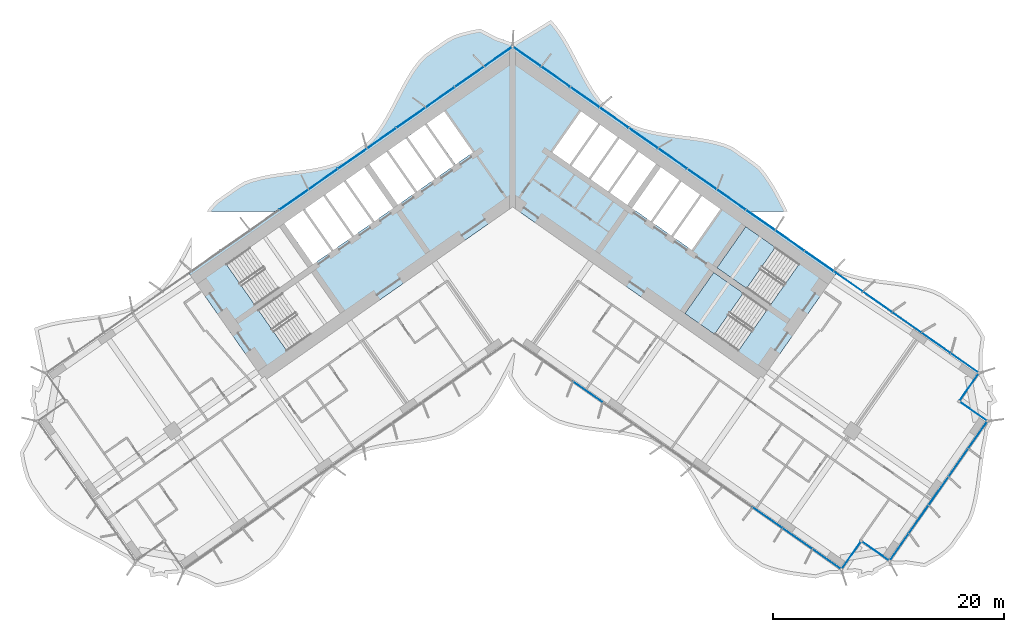
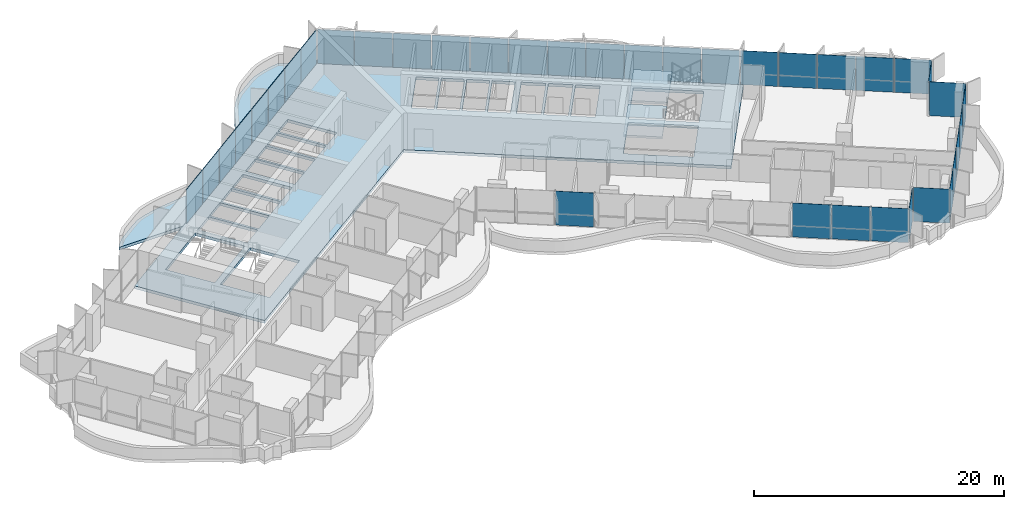
# One storey, part 11 of 22: 37 plates, 4 slabs, 4 elements without a shape of their own.
"""IFC4 building model written with IfcOpenShell, lengths in metres."""

import ifcopenshell
import ifcopenshell.guid

model = None  # the IFC model being written
_history = None  # IfcOwnerHistory: only IFC2X3 demands one
_inside = {}  # id of a spatial element -> (the spatial element, [elements in it])
_under = {}  # id of a project, library or spatial element -> (it, [spatial elements below it])
_declared = {}  # id of a project -> (the project, [libraries it declares])
_typed = {}  # id of a type object -> (the type object, [elements of that type])
_made_of = {}  # id of a material, layer set ... -> (it, [elements and type objects made of it])


def new_model(schema):
    """Start an empty IFC model of exactly this schema.

    Asked for "IFC4X3", IfcOpenShell would pick the latest addendum, in which some entities
    have other attributes; the version numbers below select the first issue.
    IFC2X3 requires an IfcOwnerHistory on every rooted entity: one is made here for all.
    """
    global model, _history
    if schema == "IFC4X3":
        model = ifcopenshell.file(schema_version=(4, 3, 0, 0))
    else:
        model = ifcopenshell.file(schema=schema)
    _inside.clear()
    _under.clear()
    _declared.clear()
    _typed.clear()
    _made_of.clear()
    _history = None
    if model.schema == "IFC2X3":
        org = make("IfcOrganization", Name="unknown")
        user = make(
            "IfcPersonAndOrganization",
            ThePerson=make("IfcPerson", FamilyName="unknown"),
            TheOrganization=org,
        )
        app = make(
            "IfcApplication",
            ApplicationDeveloper=org,
            Version="unknown",
            ApplicationFullName="unknown",
            ApplicationIdentifier="unknown",
        )
        _history = make(
            "IfcOwnerHistory",
            OwningUser=user,
            OwningApplication=app,
            ChangeAction="ADDED",
            CreationDate=0,
        )
    return model


def make(cls, **values):
    """One entity of the class cls with the attributes given. An attribute that is None is left unset."""
    return model.create_entity(
        cls, **{name: value for name, value in values.items() if value is not None}
    )


def rooted(cls, **values):
    """An entity with a GlobalId (a new one), such as an element, a storey or a relation."""
    return make(cls, GlobalId=ifcopenshell.guid.new(), OwnerHistory=_history, **values)


def si_unit(unit_type, name, prefix=None):
    """IfcSIUnit, for example si_unit("LENGTHUNIT", "METRE", prefix="MILLI")."""
    return make("IfcSIUnit", UnitType=unit_type, Prefix=prefix, Name=name)


def assignment(units):
    """IfcUnitAssignment: the units of a project."""
    return None if units is None else make("IfcUnitAssignment", Units=units)


def point(xyz):
    """IfcCartesianPoint."""
    return None if xyz is None else make("IfcCartesianPoint", Coordinates=xyz)


def direction(xyz):
    """IfcDirection."""
    return None if xyz is None else make("IfcDirection", DirectionRatios=xyz)


def frame(location, z_axis=None, x_axis=None):
    """IfcAxis2Placement3D, a coordinate frame: its origin and axes. An axis left out is left unset."""
    return make(
        "IfcAxis2Placement3D",
        Location=point(location),
        Axis=direction(z_axis),
        RefDirection=direction(x_axis),
    )


def frame_2d(location, x_axis=None):
    """IfcAxis2Placement2D, a coordinate frame in the plane: its origin and x axis."""
    return make(
        "IfcAxis2Placement2D", Location=point(location), RefDirection=direction(x_axis)
    )


def origin():
    """The frame at (0, 0, 0) with its axes left unset."""
    return frame((0.0, 0.0, 0.0))


def origin_2d():
    """The frame at (0, 0) in the plane with its x axis left unset."""
    return frame_2d((0.0, 0.0))


def place(relative_to, where):
    """IfcLocalPlacement: puts the frame where relative to a parent placement (None: the world)."""
    return make(
        "IfcLocalPlacement", PlacementRelTo=relative_to, RelativePlacement=where
    )


def context(
    kind, dimensions, precision=None, world=None, true_north=None, identifier=None
):
    """IfcGeometricRepresentationContext, for example the 3D "Model" context."""
    return make(
        "IfcGeometricRepresentationContext",
        ContextIdentifier=identifier,
        ContextType=kind,
        CoordinateSpaceDimension=dimensions,
        Precision=precision,
        WorldCoordinateSystem=world,
        TrueNorth=true_north,
    )


def subcontext(parent, identifier, kind, view, scale=None):
    """IfcGeometricRepresentationSubContext, for example "Body" below "Model"."""
    return make(
        "IfcGeometricRepresentationSubContext",
        ContextIdentifier=identifier,
        ContextType=kind,
        ParentContext=parent,
        TargetScale=scale,
        TargetView=view,
    )


def project(units=None, contexts=None):
    """IfcProject with its units and contexts."""
    return rooted(
        "IfcProject",
        Name="project",
        RepresentationContexts=contexts,
        UnitsInContext=assignment(units),
    )


def spatial(cls, under=None, at=None, **own):
    """A site, building, storey or space (cls), placed at a placement, below another one or the project."""
    s = rooted(cls, ObjectPlacement=at, **own)
    if under is not None:
        _under.setdefault(under.id(), (under, []))[1].append(s)
    return s


def polyline(points):
    """IfcPolyline through the points."""
    return make("IfcPolyline", Points=[point(p) for p in points])


def profile(cls, at=None, kind="AREA", **sizes):
    """A parametric profile (cls). Its sizes go by their IFC names, for example OverallWidth=200.0."""
    return make(cls, ProfileType=kind, Position=at, **sizes)


def rectangle(**sizes):
    """IfcRectangleProfileDef."""
    return profile("IfcRectangleProfileDef", **sizes)


def outline(outer, holes=None, kind="AREA"):
    """IfcArbitraryClosedProfileDef: a profile drawn as a closed curve; with holes, ...WithVoids."""
    if holes is None:
        return make("IfcArbitraryClosedProfileDef", ProfileType=kind, OuterCurve=outer)
    return make(
        "IfcArbitraryProfileDefWithVoids",
        ProfileType=kind,
        OuterCurve=outer,
        InnerCurves=holes,
    )


def extrude(swept, where, along, depth):
    """IfcExtrudedAreaSolid: the profile swept, set in the frame where, extruded along a direction by depth."""
    return make(
        "IfcExtrudedAreaSolid",
        SweptArea=swept,
        Position=where,
        ExtrudedDirection=direction(along),
        Depth=depth,
    )


def shape(context_of_items, identifier, shape_type, items):
    """IfcShapeRepresentation: the items that make up one representation, for example the "Body"."""
    return make(
        "IfcShapeRepresentation",
        ContextOfItems=context_of_items,
        RepresentationIdentifier=identifier,
        RepresentationType=shape_type,
        Items=items,
    )


def material(Name=None, Category=None):
    """IfcMaterial."""
    return make("IfcMaterial", Name=Name, Category=Category)


def layer(
    of_material, thickness, ventilated=None, Name=None, Category=None, Priority=None
):
    """IfcMaterialLayer: one layer of a wall or slab, of a material (None: an air gap)."""
    return make(
        "IfcMaterialLayer",
        Material=of_material,
        LayerThickness=thickness,
        IsVentilated=ventilated,
        Name=Name,
        Category=Category,
        Priority=Priority,
    )


def layer_set(layers, Name=None):
    """IfcMaterialLayerSet."""
    return make("IfcMaterialLayerSet", MaterialLayers=layers, LayerSetName=Name)


def made_of(thing, what):
    """Note that an element or type object is made of a material, layer set ...; save() writes the relation."""
    if what is not None:
        _made_of.setdefault(what.id(), (what, []))[1].append(thing)
    return thing


def type_object(cls, material=None, **own):
    """A type object (cls), such as IfcWallType, which elements share."""
    return made_of(rooted(cls, **own), material)


def element(
    cls,
    number,
    at=None,
    inside=None,
    cuts=None,
    type_object=None,
    material=None,
    context=None,
    identifier="Body",
    shape_type=None,
    held_by="IfcProductDefinitionShape",
    body=None,
    shapes=None,
    **own,
):
    """One element of the class cls, such as IfcWall. Its Tag is "e" and its number.

    at: its placement. inside: the storey or other place that contains it. cuts: it is an
    opening in that element (IfcRelVoidsElement). A single representation is given by context,
    identifier, shape_type and body (its items); several are given by shapes. held_by: the class
    of the entity that holds the representations. save() writes the other relations.
    """
    e = rooted(cls, Tag="e%d" % number, ObjectPlacement=at, **own)
    if body is not None:
        shapes = [shape(context, identifier, shape_type, body)]
    if shapes is not None:
        e.Representation = make(held_by, Representations=shapes)
    if inside is not None:
        _inside.setdefault(inside.id(), (inside, []))[1].append(e)
    if cuts is not None:
        rooted(
            "IfcRelVoidsElement", RelatingBuildingElement=cuts, RelatedOpeningElement=e
        )
    if type_object is not None:
        _typed.setdefault(type_object.id(), (type_object, []))[1].append(e)
    return made_of(e, material)


def aggregate(whole, parts):
    """IfcRelAggregates: a whole, such as a stair, and the parts it consists of."""
    return rooted("IfcRelAggregates", RelatingObject=whole, RelatedObjects=parts)


def save(model, path):
    """Write the relations noted so far, then the file.

    IfcRelAggregates (storeys below a building ...), IfcRelContainedInSpatialStructure (elements
    in a storey), IfcRelDefinesByType, IfcRelAssociatesMaterial and IfcRelDeclares: one each for
    every whole, place, type object, material and project.
    """
    for whole, parts in _under.values():
        aggregate(whole, parts)
    for where, things in _inside.values():
        rooted(
            "IfcRelContainedInSpatialStructure",
            RelatedElements=things,
            RelatingStructure=where,
        )
    for kind, things in _typed.values():
        rooted("IfcRelDefinesByType", RelatedObjects=things, RelatingType=kind)
    for what, things in _made_of.values():
        rooted("IfcRelAssociatesMaterial", RelatedObjects=things, RelatingMaterial=what)
    for by, libraries in _declared.values():
        rooted("IfcRelDeclares", RelatingContext=by, RelatedDefinitions=libraries)
    model.write(path)


model = new_model("IFC4")

# Units and contexts
model_context = context("Model", 3, precision=1e-05, world=origin(), true_north=direction((0.0, 1.0)))
body_context = subcontext(model_context, "Body", "Model", "MODEL_VIEW")
ifc_project = project(units=[si_unit("LENGTHUNIT", "METRE"), si_unit("AREAUNIT", "SQUARE_METRE"), si_unit("VOLUMEUNIT", "CUBIC_METRE"), si_unit("PLANEANGLEUNIT", "RADIAN"), si_unit("MASSUNIT", "GRAM", prefix="KILO")], contexts=[model_context])

# Site, building, storey
site_placement = place(None, origin())
site = spatial("IfcSite", under=ifc_project, at=site_placement, CompositionType="ELEMENT")
building_placement = place(site_placement, origin())
building = spatial("IfcBuilding", under=site, at=building_placement, Name="Tel Ilan Convention Tower", CompositionType="ELEMENT")
storey_placement = place(building_placement, frame((0.0, 0.0, 122.89990234375)))
storey = spatial("IfcBuildingStorey", under=building, at=storey_placement, Name="L27", CompositionType="ELEMENT", Elevation=122.89990234375)

# Curtain wall, plates
ifc_material_1 = material(Name="Aluminium, bronze anodised", Category="aluminium")
curtain_wall_type_1 = type_object("IfcCurtainWallType", Name="CW1 UNITISED CURTAIN WALL, HOTEL TINTED GLASS", PredefinedType="NOTDEFINED", material=ifc_material_1)
curtain_wall_1_placement = place(storey_placement, origin())
curtain_wall_1 = element("IfcCurtainWall", 1, at=curtain_wall_1_placement, inside=storey, type_object=curtain_wall_type_1, Name="Curtain wall CW1-21.02", PredefinedType="NOTDEFINED")
ifc_material_2 = material(Name="Glass, bronze tinted, two-ply unitised", Category="glass")
ifc_layer_1 = layer(ifc_material_2, 0.028076171875)
ifc_layer_set_1 = layer_set([ifc_layer_1], Name="CW HOTEL GLASS PANEL 28")
plate_type_1 = type_object("IfcPlateType", Name="CW HOTEL GLASS PANEL 28", PredefinedType="CURTAIN_PANEL", material=ifc_layer_set_1)
plate_1_placement = place(storey_placement, frame((6.544921875, -17.27880859375, 0.0), z_axis=(0.0, 0.0, 1.0), x_axis=(0.819152044289, -0.573576436351, 0.0)))
plate_1 = element("IfcPlate", 2, at=plate_1_placement, type_object=plate_type_1, Name="Glass panel", PredefinedType="CURTAIN_PANEL", context=body_context, shape_type="SweptSolid", body=[
    extrude(rectangle(XDim=3.10791015625, YDim=0.028076171875, at=origin_2d()), origin(), (0.0, 0.0, 1.0), 3.320068359375),
])
plate_2_placement = place(storey_placement, frame((22.115478515625, -28.181396484375, 0.0), z_axis=(0.0, 0.0, 1.0), x_axis=(0.819152044289, -0.573576436351, 0.0)))
plate_2 = element("IfcPlate", 3, at=plate_2_placement, type_object=plate_type_1, Name="Glass panel", PredefinedType="CURTAIN_PANEL", context=body_context, shape_type="SweptSolid", body=[
    extrude(rectangle(XDim=3.10791015625, YDim=0.028076171875, at=origin_2d()), origin(), (0.0, 0.0, 1.0), 3.320068359375),
])
plate_3_placement = place(storey_placement, frame((24.71044921875, -29.99853515625, 0.0), z_axis=(0.0, 0.0, 1.0), x_axis=(0.819152044289, -0.573576436351, 0.0)))
plate_3 = element("IfcPlate", 4, at=plate_3_placement, type_object=plate_type_1, Name="Glass panel", PredefinedType="CURTAIN_PANEL", context=body_context, shape_type="SweptSolid", body=[
    extrude(rectangle(XDim=3.10791015625, YDim=0.028076171875, at=origin_2d()), origin(), (0.0, 0.0, 1.0), 3.320068359375),
])
plate_4_placement = place(storey_placement, frame((27.26708984375, -31.78857421875, 0.0), z_axis=(0.0, 0.0, 1.0), x_axis=(0.819152044289, -0.573576436351, 0.0)))
plate_4 = element("IfcPlate", 5, at=plate_4_placement, type_object=plate_type_1, Name="Glass panel", PredefinedType="CURTAIN_PANEL", context=body_context, shape_type="SweptSolid", body=[
    extrude(rectangle(XDim=3.013916015625, YDim=0.028076171875, at=origin_2d()), origin(), (0.0, 0.0, 1.0), 3.320068359375),
])
plate_5_placement = place(storey_placement, frame((29.359375, -31.469482421875, 0.0), z_axis=(0.0, 0.0, 1.0), x_axis=(0.573576436351, 0.819152044289, 0.0)))
plate_5 = element("IfcPlate", 6, at=plate_5_placement, type_object=plate_type_1, Name="Glass panel", PredefinedType="CURTAIN_PANEL", context=body_context, shape_type="SweptSolid", body=[
    extrude(rectangle(XDim=2.875, YDim=0.028076171875, at=origin_2d()), origin(), (0.0, 0.0, 1.0), 3.320068359375),
])
plate_6_placement = place(storey_placement, frame((31.502197265625, -31.091796875, 0.0), z_axis=(0.0, 0.0, 1.0), x_axis=(0.819152044289, -0.573576436351, 0.0)))
plate_6 = element("IfcPlate", 7, at=plate_6_placement, type_object=plate_type_1, Name="Glass panel", PredefinedType="CURTAIN_PANEL", context=body_context, shape_type="SweptSolid", body=[
    extrude(rectangle(XDim=2.875, YDim=0.028076171875, at=origin_2d()), origin(), (0.0, 0.0, 1.0), 3.320068359375),
])
plate_7_placement = place(storey_placement, frame((33.529296875, -30.74462890625, 0.0), z_axis=(0.0, 0.0, 1.0), x_axis=(0.573576436351, 0.819152044289, 0.0)))
plate_7 = element("IfcPlate", 8, at=plate_7_placement, type_object=plate_type_1, Name="Glass panel", PredefinedType="CURTAIN_PANEL", context=body_context, shape_type="SweptSolid", body=[
    extrude(rectangle(XDim=2.845947265625, YDim=0.028076171875, at=origin_2d()), origin(), (0.0, 0.0, 1.0), 3.320068359375),
])
plate_8_placement = place(storey_placement, frame((35.22314453125, -28.32568359375, 0.0), z_axis=(0.0, 0.0, 1.0), x_axis=(0.573576436351, 0.819152044289, 0.0)))
plate_8 = element("IfcPlate", 9, at=plate_8_placement, type_object=plate_type_1, Name="Glass panel", PredefinedType="CURTAIN_PANEL", context=body_context, shape_type="SweptSolid", body=[
    extrude(rectangle(XDim=2.93994140625, YDim=0.028076171875, at=origin_2d()), origin(), (0.0, 0.0, 1.0), 3.320068359375),
])
plate_9_placement = place(storey_placement, frame((36.94384765625, -25.868408203125, 0.0), z_axis=(0.0, 0.0, 1.0), x_axis=(0.573576436351, 0.819152044289, 0.0)))
plate_9 = element("IfcPlate", 10, at=plate_9_placement, type_object=plate_type_1, Name="Glass panel", PredefinedType="CURTAIN_PANEL", context=body_context, shape_type="SweptSolid", body=[
    extrude(rectangle(XDim=2.93994140625, YDim=0.028076171875, at=origin_2d()), origin(), (0.0, 0.0, 1.0), 3.320068359375),
])
plate_10_placement = place(storey_placement, frame((38.66455078125, -23.410888671875, 0.0), z_axis=(0.0, 0.0, 1.0), x_axis=(0.573576436351, 0.819152044289, 0.0)))
plate_10 = element("IfcPlate", 11, at=plate_10_placement, type_object=plate_type_1, Name="Glass panel", PredefinedType="CURTAIN_PANEL", context=body_context, shape_type="SweptSolid", body=[
    extrude(rectangle(XDim=2.93994140625, YDim=0.028076171875, at=origin_2d()), origin(), (0.0, 0.0, 1.0), 3.320068359375),
])
plate_11_placement = place(storey_placement, frame((40.358154296875, -20.991943359375, 0.0), z_axis=(0.0, 0.0, 1.0), x_axis=(0.573576436351, 0.819152044289, 0.0)))
plate_11 = element("IfcPlate", 12, at=plate_11_placement, type_object=plate_type_1, Name="Glass panel", PredefinedType="CURTAIN_PANEL", context=body_context, shape_type="SweptSolid", body=[
    extrude(rectangle(XDim=2.845947265625, YDim=0.028076171875, at=origin_2d()), origin(), (0.0, 0.0, 1.0), 3.320068359375),
])
plate_12_placement = place(storey_placement, frame((39.990966796875, -18.96826171875, 0.0), z_axis=(0.0, 0.0, 1.0), x_axis=(-0.819152044289, 0.573576436351, 0.0)))
plate_12 = element("IfcPlate", 13, at=plate_12_placement, type_object=plate_type_1, Name="Glass panel", PredefinedType="CURTAIN_PANEL", context=body_context, shape_type="SweptSolid", body=[
    extrude(rectangle(XDim=2.875, YDim=0.028076171875, at=origin_2d()), origin(), (0.0, 0.0, 1.0), 3.320068359375),
])
plate_13_placement = place(storey_placement, frame((39.61328125, -16.82568359375, 0.0), z_axis=(0.0, 0.0, 1.0), x_axis=(0.573576436351, 0.819152044289, 0.0)))
plate_13 = element("IfcPlate", 14, at=plate_13_placement, type_object=plate_type_1, Name="Glass panel", PredefinedType="CURTAIN_PANEL", context=body_context, shape_type="SweptSolid", body=[
    extrude(rectangle(XDim=2.875, YDim=0.028076171875, at=origin_2d()), origin(), (0.0, 0.0, 1.0), 3.320068359375),
])
plate_14_placement = place(storey_placement, frame((39.2265625, -14.7705078125, 0.0), z_axis=(0.0, 0.0, 1.0), x_axis=(-0.819152044289, 0.573576436351, 0.0)))
plate_14 = element("IfcPlate", 15, at=plate_14_placement, type_object=plate_type_1, Name="Glass panel", PredefinedType="CURTAIN_PANEL", context=body_context, shape_type="SweptSolid", body=[
    extrude(rectangle(XDim=2.943115234375, YDim=0.028076171875, at=origin_2d()), origin(), (0.0, 0.0, 1.0), 3.320068359375),
])
plate_15_placement = place(storey_placement, frame((36.72802734375, -13.021240234375, 0.0), z_axis=(0.0, 0.0, 1.0), x_axis=(-0.819152044289, 0.573576436351, 0.0)))
plate_15 = element("IfcPlate", 16, at=plate_15_placement, type_object=plate_type_1, Name="Glass panel", PredefinedType="CURTAIN_PANEL", context=body_context, shape_type="SweptSolid", body=[
    extrude(rectangle(XDim=3.037109375, YDim=0.028076171875, at=origin_2d()), origin(), (0.0, 0.0, 1.0), 3.320068359375),
])
plate_16_placement = place(storey_placement, frame((34.191162109375, -11.244873046875, 0.0), z_axis=(0.0, 0.0, 1.0), x_axis=(-0.819152044289, 0.573576436351, 0.0)))
plate_16 = element("IfcPlate", 17, at=plate_16_placement, type_object=plate_type_1, Name="Glass panel", PredefinedType="CURTAIN_PANEL", context=body_context, shape_type="SweptSolid", body=[
    extrude(rectangle(XDim=3.037109375, YDim=0.028076171875, at=origin_2d()), origin(), (0.0, 0.0, 1.0), 3.320068359375),
])
plate_17_placement = place(storey_placement, frame((31.654296875, -9.468505859375, 0.0), z_axis=(0.0, 0.0, 1.0), x_axis=(-0.819152044289, 0.573576436351, 0.0)))
plate_17 = element("IfcPlate", 18, at=plate_17_placement, type_object=plate_type_1, Name="Glass panel", PredefinedType="CURTAIN_PANEL", context=body_context, shape_type="SweptSolid", body=[
    extrude(rectangle(XDim=3.037109375, YDim=0.028076171875, at=origin_2d()), origin(), (0.0, 0.0, 1.0), 3.320068359375),
])
plate_18_placement = place(storey_placement, frame((29.1171875, -7.692138671875, 0.0), z_axis=(0.0, 0.0, 1.0), x_axis=(-0.819152044289, 0.573576436351, 0.0)))
plate_18 = element("IfcPlate", 19, at=plate_18_placement, type_object=plate_type_1, Name="Glass panel", PredefinedType="CURTAIN_PANEL", context=body_context, shape_type="SweptSolid", body=[
    extrude(rectangle(XDim=3.037109375, YDim=0.028076171875, at=origin_2d()), origin(), (0.0, 0.0, 1.0), 3.320068359375),
])
aggregate(curtain_wall_1, [plate_1, plate_2, plate_3, plate_4, plate_5, plate_6, plate_7, plate_8, plate_9, plate_10, plate_11, plate_12, plate_13, plate_14, plate_15, plate_16, plate_17, plate_18])

ifc_material_3 = material(Name="Aluminium, bronze anodised", Category="aluminium")
curtain_wall_type_2 = type_object("IfcCurtainWallType", Name="CW2 STICK CURTAIN WALL, SPANDREL PANELS", PredefinedType="NOTDEFINED", material=ifc_material_3)
curtain_wall_2_placement = place(storey_placement, origin())
curtain_wall_2 = element("IfcCurtainWall", 20, at=curtain_wall_2_placement, inside=storey, type_object=curtain_wall_type_2, Name="Curtain wall CW2-21.01", PredefinedType="NOTDEFINED")
ifc_material_4 = material(Name="Aluminium composite panel, bronze anodised", Category="aluminium")
ifc_layer_2 = layer(ifc_material_4, 0.06005859375)
ifc_layer_set_2 = layer_set([ifc_layer_2], Name="CW SPANDREL PANEL 60")
plate_type_2 = type_object("IfcPlateType", Name="CW SPANDREL PANEL 60", PredefinedType="CURTAIN_PANEL", material=ifc_layer_set_2)
plate_19_placement = place(storey_placement, frame((26.580322265625, -5.915771484375, 0.0), z_axis=(0.0, 0.0, 1.0), x_axis=(-0.819152044289, 0.573576436351, 0.0)))
plate_19 = element("IfcPlate", 21, at=plate_19_placement, type_object=plate_type_2, Name="Spandrel panel", PredefinedType="CURTAIN_PANEL", context=body_context, shape_type="SweptSolid", body=[
    extrude(rectangle(XDim=3.037109375, YDim=0.06005859375, at=origin_2d()), origin(), (0.0, 0.0, 1.0), 3.320068359375),
])
plate_20_placement = place(storey_placement, frame((24.04345703125, -4.139404296875, 0.0), z_axis=(0.0, 0.0, 1.0), x_axis=(-0.819152044289, 0.573576436351, 0.0)))
plate_20 = element("IfcPlate", 22, at=plate_20_placement, type_object=plate_type_2, Name="Spandrel panel", PredefinedType="CURTAIN_PANEL", context=body_context, shape_type="SweptSolid", body=[
    extrude(rectangle(XDim=3.037109375, YDim=0.06005859375, at=origin_2d()), origin(), (0.0, 0.0, 1.0), 3.320068359375),
])
plate_21_placement = place(storey_placement, frame((21.506591796875, -2.363037109375, 0.0), z_axis=(0.0, 0.0, 1.0), x_axis=(-0.819152044289, 0.573576436351, 0.0)))
plate_21 = element("IfcPlate", 23, at=plate_21_placement, type_object=plate_type_2, Name="Spandrel panel", PredefinedType="CURTAIN_PANEL", context=body_context, shape_type="SweptSolid", body=[
    extrude(rectangle(XDim=3.037109375, YDim=0.06005859375, at=origin_2d()), origin(), (0.0, 0.0, 1.0), 3.320068359375),
])
plate_22_placement = place(storey_placement, frame((18.969482421875, -0.586669921875, 0.0), z_axis=(0.0, 0.0, 1.0), x_axis=(-0.819152044289, 0.573576436351, 0.0)))
plate_22 = element("IfcPlate", 24, at=plate_22_placement, type_object=plate_type_2, Name="Spandrel panel", PredefinedType="CURTAIN_PANEL", context=body_context, shape_type="SweptSolid", body=[
    extrude(rectangle(XDim=3.037109375, YDim=0.06005859375, at=origin_2d()), origin(), (0.0, 0.0, 1.0), 3.320068359375),
])
plate_23_placement = place(storey_placement, frame((16.4326171875, 1.189697265625, 0.0), z_axis=(0.0, 0.0, 1.0), x_axis=(-0.819152044289, 0.573576436351, 0.0)))
plate_23 = element("IfcPlate", 25, at=plate_23_placement, type_object=plate_type_2, Name="Spandrel panel", PredefinedType="CURTAIN_PANEL", context=body_context, shape_type="SweptSolid", body=[
    extrude(rectangle(XDim=3.037109375, YDim=0.06005859375, at=origin_2d()), origin(), (0.0, 0.0, 1.0), 3.320068359375),
])
plate_24_placement = place(storey_placement, frame((13.895751953125, 2.966064453125, 0.0), z_axis=(0.0, 0.0, 1.0), x_axis=(-0.819152044289, 0.573576436351, 0.0)))
plate_24 = element("IfcPlate", 26, at=plate_24_placement, type_object=plate_type_2, Name="Spandrel panel", PredefinedType="CURTAIN_PANEL", context=body_context, shape_type="SweptSolid", body=[
    extrude(rectangle(XDim=3.037109375, YDim=0.06005859375, at=origin_2d()), origin(), (0.0, 0.0, 1.0), 3.320068359375),
])
plate_25_placement = place(storey_placement, frame((11.35888671875, 4.742431640625, 0.0), z_axis=(0.0, 0.0, 1.0), x_axis=(-0.819152044289, 0.573576436351, 0.0)))
plate_25 = element("IfcPlate", 27, at=plate_25_placement, type_object=plate_type_2, Name="Spandrel panel", PredefinedType="CURTAIN_PANEL", context=body_context, shape_type="SweptSolid", body=[
    extrude(rectangle(XDim=3.037109375, YDim=0.06005859375, at=origin_2d()), origin(), (0.0, 0.0, 1.0), 3.320068359375),
])
plate_26_placement = place(storey_placement, frame((8.82177734375, 6.518798828125, 0.0), z_axis=(0.0, 0.0, 1.0), x_axis=(-0.819152044289, 0.573576436351, 0.0)))
plate_26 = element("IfcPlate", 28, at=plate_26_placement, type_object=plate_type_2, Name="Spandrel panel", PredefinedType="CURTAIN_PANEL", context=body_context, shape_type="SweptSolid", body=[
    extrude(rectangle(XDim=3.037109375, YDim=0.06005859375, at=origin_2d()), origin(), (0.0, 0.0, 1.0), 3.320068359375),
])
plate_27_placement = place(storey_placement, frame((6.284912109375, 8.295166015625, 0.0), z_axis=(0.0, 0.0, 1.0), x_axis=(-0.819152044289, 0.573576436351, 0.0)))
plate_27 = element("IfcPlate", 29, at=plate_27_placement, type_object=plate_type_2, Name="Spandrel panel", PredefinedType="CURTAIN_PANEL", context=body_context, shape_type="SweptSolid", body=[
    extrude(rectangle(XDim=3.037109375, YDim=0.06005859375, at=origin_2d()), origin(), (0.0, 0.0, 1.0), 3.320068359375),
])
plate_28_placement = place(storey_placement, frame((3.748046875, 10.07177734375, 0.0), z_axis=(0.0, 0.0, 1.0), x_axis=(-0.819152044289, 0.573576436351, 0.0)))
plate_28 = element("IfcPlate", 30, at=plate_28_placement, type_object=plate_type_2, Name="Spandrel panel", PredefinedType="CURTAIN_PANEL", context=body_context, shape_type="SweptSolid", body=[
    extrude(rectangle(XDim=3.037109375, YDim=0.06005859375, at=origin_2d()), origin(), (0.0, 0.0, 1.0), 3.320068359375),
])
plate_29_placement = place(storey_placement, frame((1.256103515625, 11.81640625, 0.0), z_axis=(0.0, 0.0, 1.0), x_axis=(-0.819152044289, 0.573576436351, 0.0)))
plate_29 = element("IfcPlate", 31, at=plate_29_placement, type_object=plate_type_2, Name="Spandrel panel", PredefinedType="CURTAIN_PANEL", context=body_context, shape_type="SweptSolid", body=[
    extrude(rectangle(XDim=2.927001953125, YDim=0.06005859375, at=origin_2d()), origin(), (0.0, 0.0, 1.0), 3.320068359375),
])
plate_30_placement = place(storey_placement, frame((-1.256103515625, 11.81640625, 0.0), z_axis=(0.0, 0.0, 1.0), x_axis=(-0.819152044289, -0.573576436351, 0.0)))
plate_30 = element("IfcPlate", 32, at=plate_30_placement, type_object=plate_type_2, Name="Spandrel panel", PredefinedType="CURTAIN_PANEL", context=body_context, shape_type="SweptSolid", body=[
    extrude(rectangle(XDim=2.927001953125, YDim=0.06005859375, at=origin_2d()), origin(), (0.0, 0.0, 1.0), 3.320068359375),
])
plate_31_placement = place(storey_placement, frame((-3.748046875, 10.07177734375, 0.0), z_axis=(0.0, 0.0, 1.0), x_axis=(-0.819152044289, -0.573576436351, 0.0)))
plate_31 = element("IfcPlate", 33, at=plate_31_placement, type_object=plate_type_2, Name="Spandrel panel", PredefinedType="CURTAIN_PANEL", context=body_context, shape_type="SweptSolid", body=[
    extrude(rectangle(XDim=3.037109375, YDim=0.06005859375, at=origin_2d()), origin(), (0.0, 0.0, 1.0), 3.320068359375),
])
plate_32_placement = place(storey_placement, frame((-6.284912109375, 8.295166015625, 0.0), z_axis=(0.0, 0.0, 1.0), x_axis=(-0.819152044289, -0.573576436351, 0.0)))
plate_32 = element("IfcPlate", 34, at=plate_32_placement, type_object=plate_type_2, Name="Spandrel panel", PredefinedType="CURTAIN_PANEL", context=body_context, shape_type="SweptSolid", body=[
    extrude(rectangle(XDim=3.037109375, YDim=0.06005859375, at=origin_2d()), origin(), (0.0, 0.0, 1.0), 3.320068359375),
])
plate_33_placement = place(storey_placement, frame((-8.82177734375, 6.518798828125, 0.0), z_axis=(0.0, 0.0, 1.0), x_axis=(-0.819152044289, -0.573576436351, 0.0)))
plate_33 = element("IfcPlate", 35, at=plate_33_placement, type_object=plate_type_2, Name="Spandrel panel", PredefinedType="CURTAIN_PANEL", context=body_context, shape_type="SweptSolid", body=[
    extrude(rectangle(XDim=3.037109375, YDim=0.06005859375, at=origin_2d()), origin(), (0.0, 0.0, 1.0), 3.320068359375),
])
plate_34_placement = place(storey_placement, frame((-11.35888671875, 4.742431640625, 0.0), z_axis=(0.0, 0.0, 1.0), x_axis=(-0.819152044289, -0.573576436351, 0.0)))
plate_34 = element("IfcPlate", 36, at=plate_34_placement, type_object=plate_type_2, Name="Spandrel panel", PredefinedType="CURTAIN_PANEL", context=body_context, shape_type="SweptSolid", body=[
    extrude(rectangle(XDim=3.037109375, YDim=0.06005859375, at=origin_2d()), origin(), (0.0, 0.0, 1.0), 3.320068359375),
])
plate_35_placement = place(storey_placement, frame((-13.895751953125, 2.966064453125, 0.0), z_axis=(0.0, 0.0, 1.0), x_axis=(-0.819152044289, -0.573576436351, 0.0)))
plate_35 = element("IfcPlate", 37, at=plate_35_placement, type_object=plate_type_2, Name="Spandrel panel", PredefinedType="CURTAIN_PANEL", context=body_context, shape_type="SweptSolid", body=[
    extrude(rectangle(XDim=3.037109375, YDim=0.06005859375, at=origin_2d()), origin(), (0.0, 0.0, 1.0), 3.320068359375),
])
plate_36_placement = place(storey_placement, frame((-16.4326171875, 1.189697265625, 0.0), z_axis=(0.0, 0.0, 1.0), x_axis=(-0.819152044289, -0.573576436351, 0.0)))
plate_36 = element("IfcPlate", 38, at=plate_36_placement, type_object=plate_type_2, Name="Spandrel panel", PredefinedType="CURTAIN_PANEL", context=body_context, shape_type="SweptSolid", body=[
    extrude(rectangle(XDim=3.037109375, YDim=0.06005859375, at=origin_2d()), origin(), (0.0, 0.0, 1.0), 3.320068359375),
])
plate_37_placement = place(storey_placement, frame((-18.969482421875, -0.586669921875, 0.0), z_axis=(0.0, 0.0, 1.0), x_axis=(-0.819152044289, -0.573576436351, 0.0)))
plate_37 = element("IfcPlate", 39, at=plate_37_placement, type_object=plate_type_2, Name="Spandrel panel", PredefinedType="CURTAIN_PANEL", context=body_context, shape_type="SweptSolid", body=[
    extrude(rectangle(XDim=3.037109375, YDim=0.06005859375, at=origin_2d()), origin(), (0.0, 0.0, 1.0), 3.320068359375),
])
aggregate(curtain_wall_2, [plate_19, plate_20, plate_21, plate_22, plate_23, plate_24, plate_25, plate_26, plate_27, plate_28, plate_29, plate_30, plate_31, plate_32, plate_33, plate_34, plate_35, plate_36, plate_37])

# Stair, slab
ifc_material_5 = material(Name="Concrete C40/50", Category="concrete")
stair_type = type_object("IfcStairType", Name="Pressurised Exit Stair 20 risers 180 mm", PredefinedType="HALF_TURN_STAIR", material=ifc_material_5)
stair_1_placement = place(storey_placement, origin())
stair_1 = element("IfcStair", 40, at=stair_1_placement, inside=storey, type_object=stair_type, Name="L27 Pressurised Stair S3", PredefinedType="HALF_TURN_STAIR")
ifc_material_6 = material(Name="Concrete C40/50", Category="concrete")
ifc_layer_3 = layer(ifc_material_6, 0.199951171875)
ifc_layer_set_3 = layer_set([ifc_layer_3], Name="Concrete Stair Landing 200 mm C40/50")
slab_type_1 = type_object("IfcSlabType", Name="Concrete Stair Landing 200 mm", PredefinedType="LANDING", material=ifc_layer_set_3)
slab_1_placement = place(storey_placement, frame((0.0, 0.0, 1.60009765625)))
slab_1 = element("IfcSlab", 41, at=slab_1_placement, type_object=slab_type_1, Name="S3 landing 1", PredefinedType="LANDING", context=body_context, shape_type="SweptSolid", body=[
    extrude(outline(polyline([(22.791015625, -4.727294921875), (20.226318359375, -2.931640625), (17.7314453125, -6.494873046875), (20.2958984375, -8.29052734375), (22.791015625, -4.727294921875)])), origin(), (0.0, 0.0, 1.0), 0.199951171875),
])
aggregate(stair_1, [slab_1])

stair_2_placement = place(storey_placement, origin())
stair_2 = element("IfcStair", 42, at=stair_2_placement, inside=storey, type_object=stair_type, Name="L27 Pressurised Stair S4", PredefinedType="HALF_TURN_STAIR")
slab_2_placement = place(storey_placement, frame((0.0, 0.0, 1.60009765625)))
slab_2 = element("IfcSlab", 43, at=slab_2_placement, type_object=slab_type_1, Name="S4 landing 1", PredefinedType="LANDING", context=body_context, shape_type="SweptSolid", body=[
    extrude(outline(polyline([(20.00927734375, -8.7001953125), (17.444580078125, -6.904541015625), (14.949462890625, -10.4677734375), (17.51416015625, -12.263427734375), (20.00927734375, -8.7001953125)])), origin(), (0.0, 0.0, 1.0), 0.199951171875),
])
aggregate(stair_2, [slab_2])

# Slabs
ifc_material_7 = material(Name="Concrete C40/50", Category="concrete")
ifc_layer_4 = layer(ifc_material_7, 0.280029296875)
ifc_layer_set_4 = layer_set([ifc_layer_4], Name="Core Floor Slab 280 mm C40/50")
slab_type_2 = type_object("IfcSlabType", Name="Core Floor Slab 280 mm C40/50", PredefinedType="FLOOR", material=ifc_layer_set_4)
slab_3_placement = place(storey_placement, frame((0.0, 0.0, -0.27978515625)))
element("IfcSlab", 44, at=slab_3_placement, inside=storey, type_object=slab_type_2, Name="L27 core floor 1", PredefinedType="FLOOR", context=body_context, shape_type="SweptSolid", body=[
    extrude(outline(polyline([(-28.1396484375, -6.885498046875), (0.0, 12.818115234375), (28.1396484375, -6.885498046875), (21.54345703125, -16.3056640625), (0.0, -1.220703125), (-21.54345703125, -16.3056640625), (-28.1396484375, -6.885498046875)]), holes=[polyline([(-14.949462890625, -10.4677734375), (-17.444580078125, -6.904541015625), (-22.072021484375, -10.144775390625), (-19.5771484375, -13.7080078125), (-14.949462890625, -10.4677734375)]), polyline([(-17.7314453125, -6.494873046875), (-20.226318359375, -2.931640625), (-24.85400390625, -6.171875), (-22.35888671875, -9.735107421875), (-17.7314453125, -6.494873046875)]), polyline([(-18.198974609375, -1.511962890625), (-19.81689453125, -2.644775390625), (-17.32177734375, -6.2080078125), (-15.7041015625, -5.0751953125), (-18.198974609375, -1.511962890625)]), polyline([(-16.41748046875, -0.264404296875), (-18.03515625, -1.397216796875), (-15.5400390625, -4.960693359375), (-13.92236328125, -3.827880859375), (-16.41748046875, -0.264404296875)]), polyline([(-14.6357421875, 0.983154296875), (-16.25341796875, -0.149658203125), (-13.758544921875, -3.712890625), (-12.140625, -2.580078125), (-14.6357421875, 0.983154296875)]), polyline([(-12.85400390625, 2.230712890625), (-14.471923828125, 1.097900390625), (-11.976806640625, -2.465576171875), (-10.35888671875, -1.332763671875), (-12.85400390625, 2.230712890625)]), polyline([(-10.939208984375, 3.5712890625), (-12.444580078125, 2.517333984375), (-9.949462890625, -1.0458984375), (-8.444091796875, 0.008056640625), (-10.939208984375, 3.5712890625)]), polyline([(-6.775146484375, 1.1767578125), (-9.270263671875, 4.739990234375), (-10.775390625, 3.68603515625), (-8.280517578125, 0.122802734375), (-6.775146484375, 1.1767578125)]), polyline([(-5.106201171875, 2.345458984375), (-7.601318359375, 5.90869140625), (-9.1064453125, 4.854736328125), (-6.611328125, 1.29150390625), (-5.106201171875, 2.345458984375)]), polyline([(-5.93212890625, 7.077392578125), (-7.4375, 6.0234375), (-4.9423828125, 2.460205078125), (-3.437255859375, 3.513916015625), (-5.93212890625, 7.077392578125)]), polyline([(17.444580078125, -6.904541015625), (14.949462890625, -10.4677734375), (19.5771484375, -13.7080078125), (22.072021484375, -10.144775390625), (17.444580078125, -6.904541015625)]), polyline([(20.226318359375, -2.931640625), (17.7314453125, -6.494873046875), (22.35888671875, -9.735107421875), (24.85400390625, -6.171875), (20.226318359375, -2.931640625)]), polyline([(13.92236328125, -3.827880859375), (15.5400390625, -4.960693359375), (18.03515625, -1.397216796875), (16.41748046875, -0.264404296875), (13.92236328125, -3.827880859375)]), polyline([(12.140625, -2.580078125), (13.758544921875, -3.712890625), (16.25341796875, -0.149658203125), (14.6357421875, 0.983154296875), (12.140625, -2.580078125)]), polyline([(11.976806640625, -2.465576171875), (14.471923828125, 1.097900390625), (12.85400390625, 2.230712890625), (10.35888671875, -1.332763671875), (11.976806640625, -2.465576171875)]), polyline([(9.949462890625, -1.0458984375), (12.444580078125, 2.517333984375), (10.939208984375, 3.5712890625), (8.444091796875, 0.008056640625), (9.949462890625, -1.0458984375)]), polyline([(8.280517578125, 0.122802734375), (10.775390625, 3.68603515625), (9.270263671875, 4.739990234375), (6.775146484375, 1.1767578125), (8.280517578125, 0.122802734375)]), polyline([(5.106201171875, 2.345458984375), (6.611328125, 1.29150390625), (9.1064453125, 4.854736328125), (7.601318359375, 5.90869140625), (5.106201171875, 2.345458984375)]), polyline([(3.437255859375, 3.513916015625), (4.9423828125, 2.460205078125), (7.4375, 6.0234375), (5.93212890625, 7.077392578125), (3.437255859375, 3.513916015625)])]), origin(), (0.0, 0.0, 1.0), 0.27978515625),
])
ifc_material_8 = material(Name="Concrete C40/50", Category="concrete")
ifc_layer_5 = layer(ifc_material_8, 0.280029296875)
ifc_layer_set_5 = layer_set([ifc_layer_5], Name="Edge Ledge Slab 280 mm C40/50")
slab_type_3 = type_object("IfcSlabType", Name="Edge Ledge Slab 280 mm C40/50", PredefinedType="FLOOR", material=ifc_layer_set_5)
slab_4_placement = place(storey_placement, frame((0.0, 0.0, -0.27978515625)))
element("IfcSlab", 45, at=slab_4_placement, inside=storey, type_object=slab_type_3, Name="L27 edge ledge 2", PredefinedType="FLOOR", context=body_context, shape_type="SweptSolid", body=[
    extrude(outline(polyline([(-23.301513671875, 0.96630859375), (-22.57568359375, 1.218994140625), (-21.812744140625, 1.4189453125), (-21.02001953125, 1.576171875), (-20.205810546875, 1.70263671875), (-19.37890625, 1.811279296875), (-18.5498046875, 1.91650390625), (-17.727783203125, 2.0322265625), (-16.923095703125, 2.172119140625), (-16.14404296875, 2.34912109375), (-15.398681640625, 2.573974609375), (-14.7119140625, 2.8828125), (-12.89453125, 4.155517578125), (-12.326416015625, 4.6337890625), (-11.845703125, 5.236572265625), (-11.401123046875, 5.89111328125), (-10.985595703125, 6.5869140625), (-10.59033203125, 7.311767578125), (-10.206298828125, 8.052734375), (-9.823486328125, 8.79541015625), (-9.431884765625, 9.52587890625), (-9.022216796875, 10.230224609375), (-8.585693359375, 10.896240234375), (-8.11474609375, 11.512939453125), (-7.57470703125, 12.031005859375), (-5.757080078125, 13.3037109375), (-5.10009765625, 13.654541015625), (-4.364013671875, 13.89306640625), (-3.593017578125, 14.0810546875), (-2.793212890625, 14.228271484375), (-1.3642578125, 13.47705078125), (-0.172119140625, 13.06396484375), (-0.168701171875, 13.05908203125), (-0.11474609375, 13.09521484375), (0.0, 13.1181640625), (0.11474609375, 13.09521484375), (0.168701171875, 13.05908203125), (0.172119140625, 13.06396484375), (1.732666015625, 14.003173828125), (3.331787109375, 14.997802734375), (3.8291015625, 14.418212890625), (4.28662109375, 13.7822265625), (4.71240234375, 13.100830078125), (5.1142578125, 12.385498046875), (5.50146484375, 11.64892578125), (5.883544921875, 10.9052734375), (6.2705078125, 10.168701171875), (6.672119140625, 9.452880859375), (7.09765625, 8.770751953125), (7.5546875, 8.134033203125), (8.050048828125, 7.55224609375), (8.65380859375, 7.125), (9.865478515625, 6.276611328125), (10.483642578125, 5.8701171875), (11.20458984375, 5.610107421875), (11.963134765625, 5.404052734375), (12.75244140625, 5.241943359375), (13.564697265625, 5.1123046875), (14.390380859375, 5.002197265625), (15.2197265625, 4.8974609375), (16.043212890625, 4.78369140625), (16.8505859375, 4.647705078125), (17.63330078125, 4.47607421875), (18.38330078125, 4.2578125), (19.08544921875, 3.97119140625), (20.903076171875, 2.698486328125), (21.484130859375, 2.239013671875), (21.9697265625, 1.643310546875), (22.418701171875, 0.99462890625), (22.83740234375, 0.3037109375), (23.23486328125, -0.41845703125), (23.619873046875, -1.158203125), (23.86328125, -1.631591796875), (20.63623046875, -1.631591796875), (0.0, 12.818115234375), (-20.63623046875, -1.631591796875), (-26.53369140625, -1.631591796875), (-26.25927734375, -1.2568359375), (-25.749755859375, -0.695068359375), (-23.93212890625, 0.577392578125), (-23.301513671875, 0.96630859375)])), origin(), (0.0, 0.0, 1.0), 0.27978515625),
])

save(model, "model.ifc")
